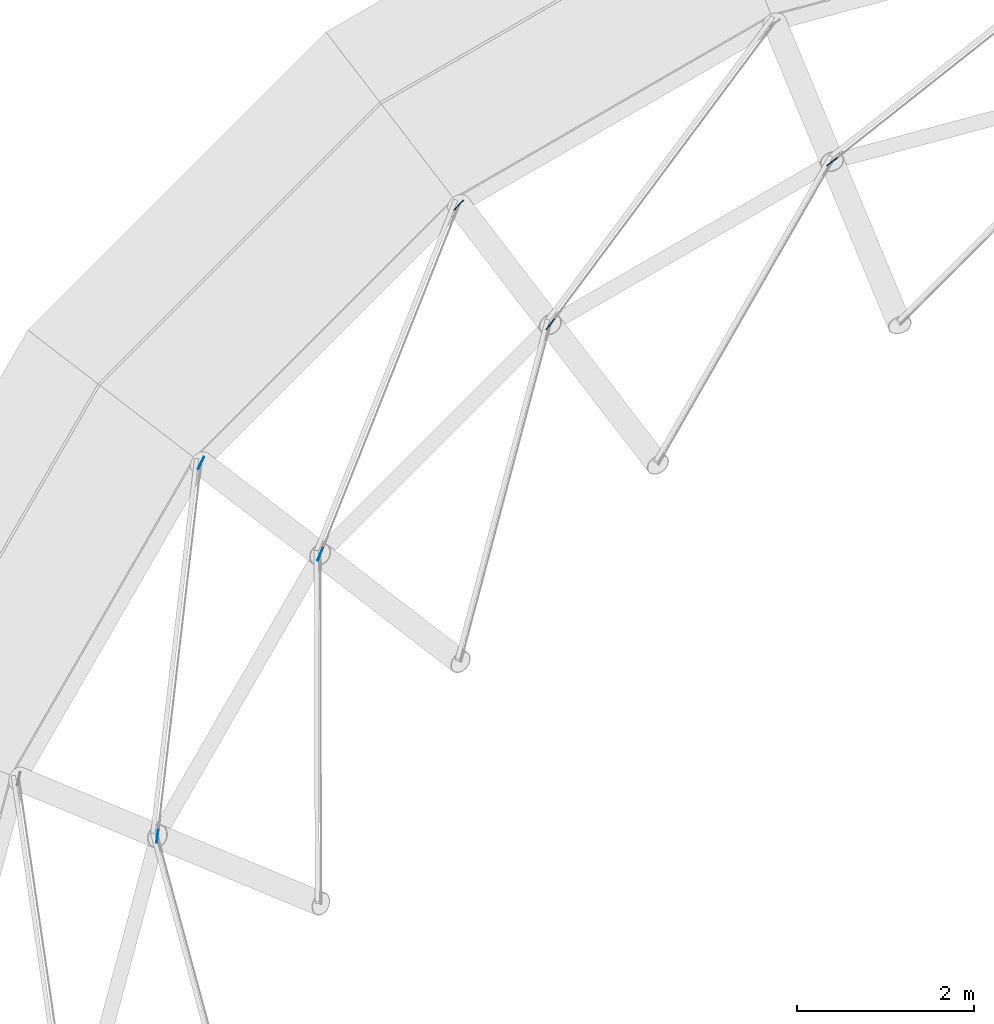
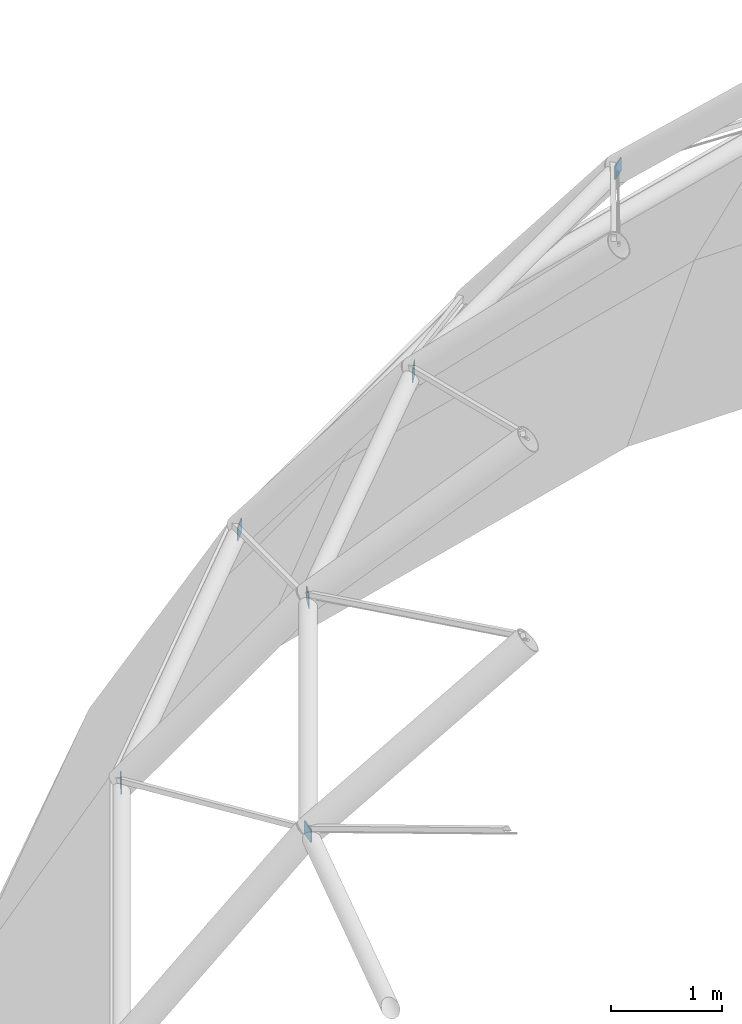
# One storey, part 45 of 62: 6 discrete accessories.
"""IFC4 building model written with IfcOpenShell, lengths in metres."""

from ifc_helpers import new_model, si_unit, direction, frame, origin, origin_2d, place, context, subcontext, project, spatial, rectangle, extrude, material, type_object, element, save


model = new_model("IFC4")

# Units and contexts
model_context = context("Model", 3, precision=1e-05, world=origin(), true_north=direction((0.0, 1.0)))
body_context = subcontext(model_context, "Body", "Model", "MODEL_VIEW")
ifc_project = project(units=[si_unit("LENGTHUNIT", "METRE"), si_unit("AREAUNIT", "SQUARE_METRE"), si_unit("VOLUMEUNIT", "CUBIC_METRE"), si_unit("PLANEANGLEUNIT", "RADIAN"), si_unit("MASSUNIT", "GRAM", prefix="KILO")], contexts=[model_context])

# Site, building, storey
site_placement = place(None, origin())
site = spatial("IfcSite", under=ifc_project, at=site_placement, CompositionType="ELEMENT")
building_placement = place(site_placement, origin())
building = spatial("IfcBuilding", under=site, at=building_placement, Name="Hortulan Conservatory and Botanical Research Centre", CompositionType="ELEMENT")
storey_placement = place(building_placement, frame((0.0, 0.0, 15.0)))
storey = spatial("IfcBuildingStorey", under=building, at=storey_placement, Name="L03", CompositionType="ELEMENT", Elevation=15.0)

# Discrete accessories
ifc_material = material(Name="Steel Grade 300 plate (AS/NZS 3678, 280 MPa minimum yield)", Category="steel")
discrete_accessory_type = type_object("IfcDiscreteAccessoryType", Name="End Plate 150x10", PredefinedType="BRACKET", material=ifc_material)
for number, where, z_axis, x_axis, name in (
    (1, (40.970947265625, 23.396728515625, 2.636962890625), (0.0, 0.0, 1.0), (0.115734644136, 0.993280168002, 0.0), "Dome rod end plate"),
    (2, (41.463134765625, 27.619873046875, 0.4404296875), (0.0, 0.0, 1.0), (0.463203229558, 0.886252090619, 0.0), "Dome rod end plate"),
    (3, (42.811767578125, 26.585205078125, 2.636962890625), (0.0, 0.0, 1.0), (0.36888712881, 0.92947419878, 0.0), "Dome rod end plate"),
    (4, (44.380126953125, 30.536865234375, 0.4404296875), (0.0, 0.0, 1.0), (0.676798882065, 0.736167965369, 0.0), "Dome rod end plate"),
    (5, (45.414794921875, 29.188232421875, 2.636962890625), (0.0, 0.0, 1.0), (0.596897232455, 0.802317701342, 0.0), "Dome rod end plate"),
    (6, (48.603271484375, 31.029052734375, 2.636962890625), (0.0, 0.0, 1.0), (0.784202724069, 0.620504703901, 0.0), "Dome rod end plate"),
):
    element("IfcDiscreteAccessory", number, at=place(storey_placement, frame(where, z_axis=z_axis, x_axis=x_axis)), inside=storey, type_object=discrete_accessory_type, Name=name, PredefinedType="BRACKET", context=body_context, shape_type="SweptSolid", body=[
        extrude(rectangle(XDim=0.14990234375, YDim=0.010009765625, at=origin_2d()), origin(), (0.0, 0.0, 1.0), 0.14990234375),
    ])

save(model, "model.ifc")
